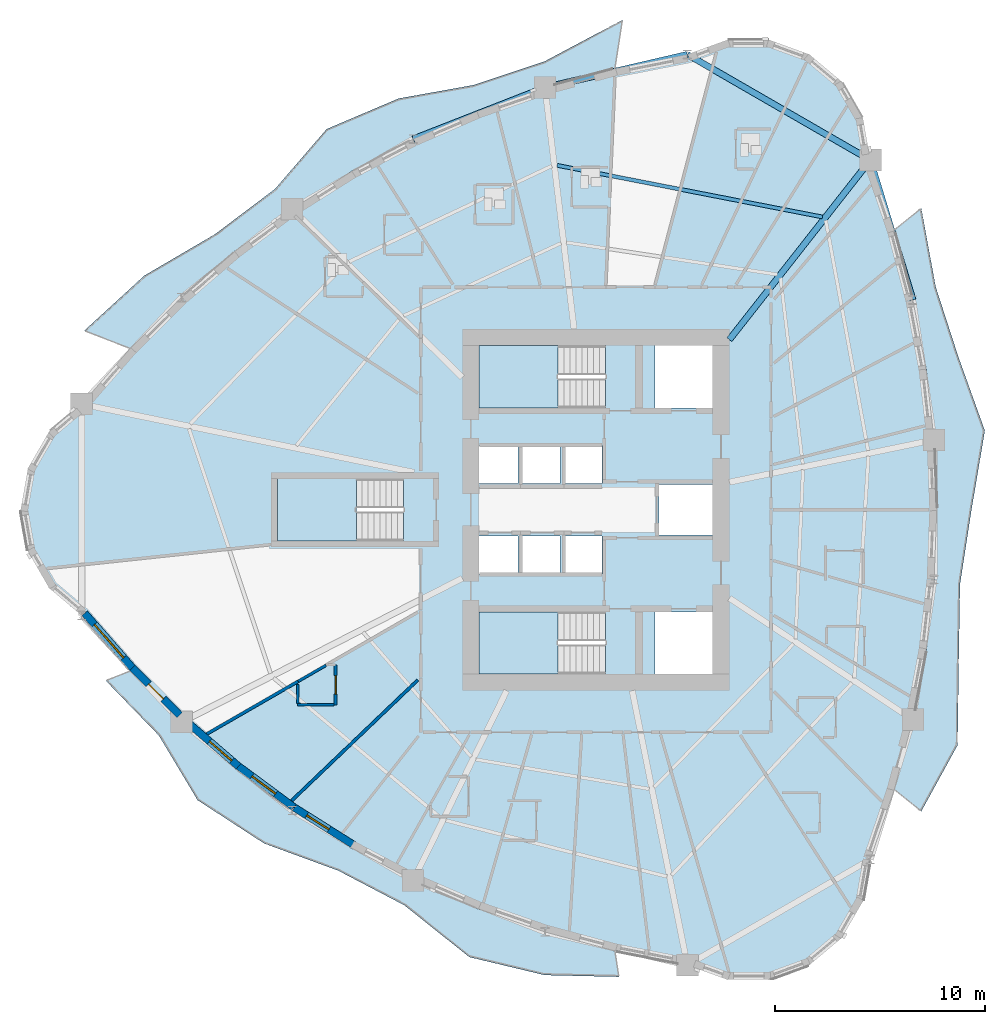
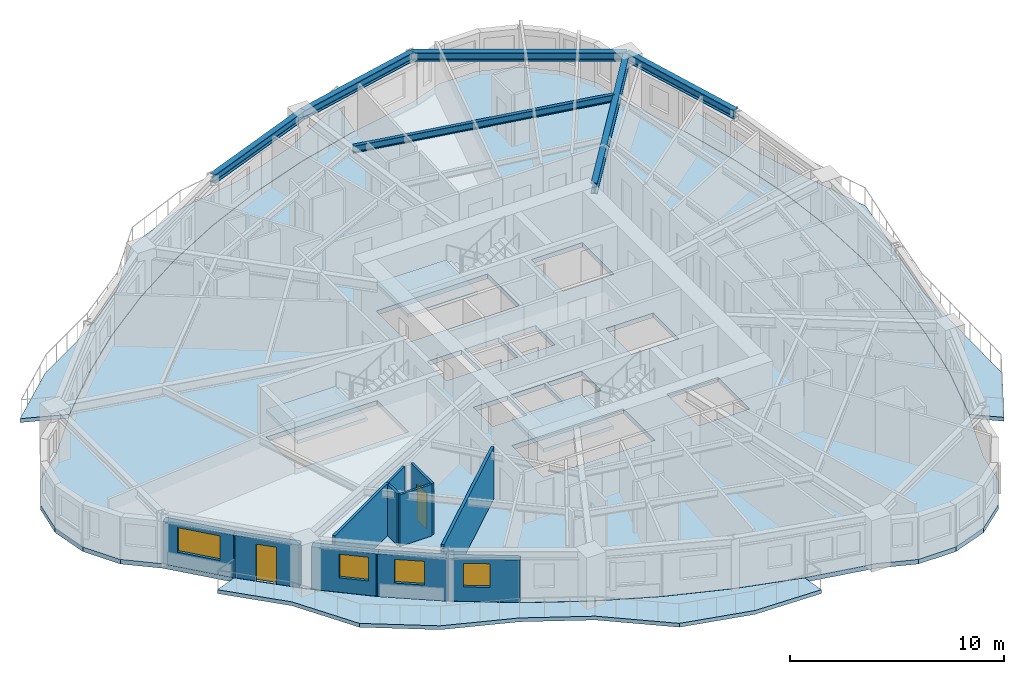
# One storey, part 2 of 14: 11 walls, 7 slabs, 6 beams, 4 windows, 2 doors, 6 openings, 3 elements without a shape of their own.
"""IFC4 building model written with IfcOpenShell, lengths in metres."""

from ifc_helpers import new_model, si_unit, direction, frame, frame_2d, origin, origin_2d, place, context, subcontext, project, spatial, polyline, rectangle, i_section, outline, extrude, source, transform, mapped, material, layer, layer_set, material_profile, profile_set, type_object, element, fill, aggregate, save


model = new_model("IFC4")

# Units and contexts
model_context = context("Model", 3, precision=1e-05, world=origin(), true_north=direction((0.0, 1.0)))
body_context = subcontext(model_context, "Body", "Model", "MODEL_VIEW")
ifc_project = project(units=[si_unit("LENGTHUNIT", "METRE"), si_unit("AREAUNIT", "SQUARE_METRE"), si_unit("VOLUMEUNIT", "CUBIC_METRE"), si_unit("PLANEANGLEUNIT", "RADIAN"), si_unit("MASSUNIT", "GRAM", prefix="KILO")], contexts=[model_context])

# Site, building, storey
site_placement = place(None, origin())
site = spatial("IfcSite", under=ifc_project, at=site_placement, CompositionType="ELEMENT")
building_placement = place(site_placement, origin())
building = spatial("IfcBuilding", under=site, at=building_placement, Name="Qafzar Sky-Pleat Residences", CompositionType="ELEMENT")
storey_placement = place(building_placement, frame((0.0, 0.0, 14.199951171875)))
storey = spatial("IfcBuildingStorey", under=building, at=storey_placement, Name="L03", CompositionType="ELEMENT", Elevation=14.199951171875)

# Beams
ifc_material_1 = material(Name="Steel S355", Category="steel")
ifc_material_profile_1 = material_profile(ifc_material_1, i_section(OverallWidth=0.300048828125, OverallDepth=0.5, WebThickness=0.014404296875, FlangeThickness=0.028076171875, FilletRadius=0.027099609375, at=origin_2d()), Name="HEB 500")
ifc_profile_set_1 = profile_set([ifc_material_profile_1], Name="Steel S355")
beam_type_1 = type_object("IfcBeamType", Name="BM-SPAN-HEB500", PredefinedType="SPANDREL", material=ifc_profile_set_1)
shared_shape_1 = source(origin(), body_context, "Body", "SweptSolid", [
    extrude(i_section(OverallWidth=0.300048828125, OverallDepth=0.5, WebThickness=0.014404296875, FlangeThickness=0.028076171875, FilletRadius=0.027099609375, at=origin_2d()), origin(), (0.0, 0.0, 1.0), 10.0458984375),
])
beam_1_placement = place(storey_placement, frame((43.39990234375, 42.627685546875, 2.68798828125), z_axis=(-0.866024107753, 0.500002244785, 0.0), x_axis=(-0.500002244785, -0.866024107753, 0.0)))
element("IfcBeam", 1, at=beam_1_placement, inside=storey, type_object=beam_type_1, Name="L03 Perimeter Spandrel Beam 13", PredefinedType="SPANDREL", context=body_context, shape_type="MappedRepresentation", body=[
    mapped(shared_shape_1, transform((0.0, 0.0, 0.0), x_axis=(1.0, 0.0, 0.0), y_axis=(0.0, 1.0, 0.0), z_axis=(0.0, 0.0, 1.0), scale=1.0)),
])
shared_shape_2 = source(origin(), body_context, "Body", "SweptSolid", [
    extrude(i_section(OverallWidth=0.300048828125, OverallDepth=0.5, WebThickness=0.014404296875, FlangeThickness=0.028076171875, FilletRadius=0.027099609375, at=origin_2d()), origin(), (0.0, 0.0, 1.0), 6.95166015625),
])
for number, where, z_axis, x_axis, name in (
    (2, (45.421875, 35.9765625, 2.68798828125), (-0.290861139852, 0.956765278072, 0.0), (-0.956765278072, -0.290861139852, 0.0), "L03 Perimeter Spandrel Beam 12"),
    (3, (34.699951171875, 47.650634765625, 2.68798828125), (-0.974013973113, -0.226487925024, 0.0), (0.226487925024, -0.974013973113, 0.0), "L03 Perimeter Spandrel Beam 14"),
):
    element("IfcBeam", number, at=place(storey_placement, frame(where, z_axis=z_axis, x_axis=x_axis)), inside=storey, type_object=beam_type_1, Name=name, PredefinedType="SPANDREL", context=body_context, shape_type="MappedRepresentation", body=[
        mapped(shared_shape_2, transform((0.0, 0.0, 0.0), x_axis=(1.0, 0.0, 0.0), y_axis=(0.0, 1.0, 0.0), z_axis=(0.0, 0.0, 1.0), scale=1.0)),
    ])
shared_shape_3 = source(origin(), body_context, "Body", "SweptSolid", [
    extrude(i_section(OverallWidth=0.300048828125, OverallDepth=0.5, WebThickness=0.014404296875, FlangeThickness=0.028076171875, FilletRadius=0.027099609375, at=origin_2d()), origin(), (0.0, 0.0, 1.0), 6.727294921875),
])
beam_2_placement = place(storey_placement, frame((27.928955078125, 46.076171875, 2.68798828125), z_axis=(-0.931329494162, -0.364177667222, 0.0), x_axis=(0.364177667222, -0.931329494162, 0.0)))
element("IfcBeam", 4, at=beam_2_placement, inside=storey, type_object=beam_type_1, Name="L03 Perimeter Spandrel Beam 15", PredefinedType="SPANDREL", context=body_context, shape_type="MappedRepresentation", body=[
    mapped(shared_shape_3, transform((0.0, 0.0, 0.0), x_axis=(1.0, 0.0, 0.0), y_axis=(0.0, 1.0, 0.0), z_axis=(0.0, 0.0, 1.0), scale=1.0)),
])
ifc_material_profile_2 = material_profile(ifc_material_1, i_section(OverallWidth=0.300048828125, OverallDepth=0.60009765625, WebThickness=0.015380859375, FlangeThickness=0.030029296875, FilletRadius=0.027099609375, at=origin_2d()), Name="HEB 600")
ifc_profile_set_2 = profile_set([ifc_material_profile_2], Name="Steel S355")
beam_type_2 = type_object("IfcBeamType", Name="BM-GIRD-HEB600", PredefinedType="BEAM", material=ifc_profile_set_2)
shared_shape_4 = source(origin(), body_context, "Body", "SweptSolid", [
    extrude(i_section(OverallWidth=0.300048828125, OverallDepth=0.60009765625, WebThickness=0.015380859375, FlangeThickness=0.030029296875, FilletRadius=0.027099609375, at=origin_2d()), origin(), (0.0, 0.0, 1.0), 10.85205078125),
])
beam_3_placement = place(storey_placement, frame((43.39990234375, 42.627685546875, 2.637939453125), z_axis=(-0.617389257857, -0.786657806344, 0.0), x_axis=(0.786657806344, -0.617389257857, 0.0)))
element("IfcBeam", 5, at=beam_3_placement, inside=storey, type_object=beam_type_2, Name="L03 Radial Floor Girder 13", PredefinedType="BEAM", context=body_context, shape_type="MappedRepresentation", body=[
    mapped(shared_shape_4, transform((0.0, 0.0, 0.0), x_axis=(1.0, 0.0, 0.0), y_axis=(0.0, 1.0, 0.0), z_axis=(0.0, 0.0, 1.0), scale=1.0)),
])
ifc_material_profile_3 = material_profile(ifc_material_1, i_section(OverallWidth=0.179931640625, OverallDepth=0.39990234375, WebThickness=0.008544921875, FlangeThickness=0.013427734375, FilletRadius=0.02099609375, at=origin_2d()), Name="IPE 400")
ifc_profile_set_3 = profile_set([ifc_material_profile_3], Name="Steel S355")
beam_type_3 = type_object("IfcBeamType", Name="BM-JST-IPE400", PredefinedType="JOIST", material=ifc_profile_set_3)
shared_shape_5 = source(origin(), body_context, "Body", "SweptSolid", [
    extrude(i_section(OverallWidth=0.179931640625, OverallDepth=0.39990234375, WebThickness=0.008544921875, FlangeThickness=0.013427734375, FilletRadius=0.02099609375, at=origin_2d()), origin(), (0.0, 0.0, 1.0), 12.85595703125),
])
beam_4_placement = place(storey_placement, frame((41.12353515625, 39.921630859375, 2.738037109375), z_axis=(-0.981577813366, 0.191062807233, 0.0), x_axis=(-0.191062807233, -0.981577813366, 0.0)))
element("IfcBeam", 6, at=beam_4_placement, inside=storey, type_object=beam_type_3, Name="L03 Outer Secondary Floor Joist 7", PredefinedType="JOIST", context=body_context, shape_type="MappedRepresentation", body=[
    mapped(shared_shape_5, transform((0.0, 0.0, 0.0), x_axis=(1.0, 0.0, 0.0), y_axis=(0.0, 1.0, 0.0), z_axis=(0.0, 0.0, 1.0), scale=1.0)),
])

# Slabs
ifc_material_2 = material(Name="Concrete C40/50", Category="concrete")
ifc_layer_1 = layer(ifc_material_2, 0.219970703125)
ifc_layer_set_1 = layer_set([ifc_layer_1], Name="Concrete C40/50")
slab_type_1 = type_object("IfcSlabType", Name="SLAB-BAL-220", PredefinedType="USERDEFINED", material=ifc_layer_set_1)
slab_1_placement = place(storey_placement, frame((0.0, 0.0, -0.219970703125)))
element("IfcSlab", 7, at=slab_1_placement, inside=storey, type_object=slab_type_1, Name="L03 Pleated Stone Balcony 1", ObjectType="BALCONY", PredefinedType="USERDEFINED", context=body_context, shape_type="SweptSolid", body=[
    extrude(outline(polyline([(45.432373046875, 16.017333984375), (46.065185546875, 19.3447265625), (46.444580078125, 22.67236328125), (46.5712890625, 26.0), (46.444580078125, 29.32763671875), (46.065185546875, 32.6552734375), (45.432373046875, 35.982666015625), (44.546630859375, 39.309814453125), (45.822998046875, 40.33642578125), (46.506591796875, 36.597900390625), (47.60205078125, 33.221435546875), (48.843994140625, 29.760498046875), (48.209228515625, 26.0), (47.6630859375, 22.45263671875), (47.60205078125, 18.778564453125), (47.548095703125, 14.805908203125), (45.822998046875, 11.66357421875), (44.546630859375, 12.690185546875), (45.432373046875, 16.017333984375)])), origin(), (0.0, 0.0, 1.0), 0.219970703125),
])
slab_2_placement = place(storey_placement, frame((0.0, 0.0, -0.219970703125)))
element("IfcSlab", 8, at=slab_2_placement, inside=storey, type_object=slab_type_1, Name="L03 Pleated Stone Balcony 2", ObjectType="BALCONY", PredefinedType="USERDEFINED", context=body_context, shape_type="SweptSolid", body=[
    extrude(outline(polyline([(27.928955078125, 46.088134765625), (24.731201171875, 44.972412109375), (21.659423828125, 43.637451171875), (18.71435546875, 42.083251953125), (15.89599609375, 40.309814453125), (13.203857421875, 38.317138671875), (10.638671875, 36.10546875), (8.2001953125, 33.675048828125), (6.02685546875, 34.517578125), (8.877197265625, 37.130859375), (12.25244140625, 39.109130859375), (15.09619140625, 41.2548828125), (17.549072265625, 44.101806640625), (20.97021484375, 45.55517578125), (24.52099609375, 46.1923828125), (27.924560546875, 47.326171875), (31.610107421875, 49.2880859375), (31.253173828125, 46.984619140625), (27.928955078125, 46.088134765625)])), origin(), (0.0, 0.0, 1.0), 0.219970703125),
])
slab_3_placement = place(storey_placement, frame((0.0, 0.0, -0.219970703125)))
element("IfcSlab", 9, at=slab_3_placement, inside=storey, type_object=slab_type_1, Name="L03 Pleated Stone Balcony 3", ObjectType="BALCONY", PredefinedType="USERDEFINED", context=body_context, shape_type="SweptSolid", body=[
    extrude(outline(polyline([(10.638671875, 15.89453125), (13.203857421875, 13.682861328125), (15.89599609375, 11.690185546875), (18.71435546875, 9.916748046875), (21.659423828125, 8.362548828125), (24.731201171875, 7.027587890625), (27.928955078125, 5.911865234375), (31.253173828125, 5.015380859375), (31.44287109375, 3.7919921875), (27.921875, 3.873779296875), (24.335205078125, 4.730712890625), (21.24072265625, 7.197509765625), (18.095458984375, 8.8447265625), (14.57958984375, 10.13427734375), (11.41259765625, 12.191650390625), (9.568603515625, 15.271728515625), (7.0458984375, 17.87744140625), (8.2001953125, 18.324951171875), (10.638671875, 15.89453125)])), origin(), (0.0, 0.0, 1.0), 0.219970703125),
])
ifc_layer_2 = layer(ifc_material_2, 0.260009765625)
ifc_layer_set_2 = layer_set([ifc_layer_2], Name="Concrete C40/50")
slab_type_2 = type_object("IfcSlabType", Name="SLAB-FLR-260", PredefinedType="FLOOR", material=ifc_layer_set_2)
slab_4_placement = place(storey_placement, frame((0.0, 0.0, -0.260009765625)))
element("IfcSlab", 10, at=slab_4_placement, inside=storey, type_object=slab_type_2, Name="L03 Structural Floor Slab", PredefinedType="FLOOR", context=body_context, shape_type="SweptSolid", body=[
    extrude(outline(polyline([(5.89990234375, 31.02294921875), (4.35693359375, 29.728271484375), (3.349853515625, 27.983642578125), (3.0, 26.0), (3.349853515625, 24.016357421875), (4.35693359375, 22.271728515625), (5.89990234375, 20.97705078125), (8.211181640625, 18.329345703125), (10.64892578125, 15.900390625), (13.213134765625, 13.6904296875), (15.903564453125, 11.699462890625), (18.720458984375, 9.92724609375), (21.66357421875, 8.373779296875), (24.733154296875, 7.039306640625), (27.928955078125, 5.923828125), (31.251220703125, 5.027099609375), (34.699951171875, 4.349365234375), (36.5927734375, 3.660400390625), (38.607177734375, 3.660400390625), (40.5, 4.349365234375), (42.043212890625, 5.64404296875), (43.05029296875, 7.388671875), (43.39990234375, 9.372314453125), (44.537353515625, 12.69775390625), (45.421875, 16.0234375), (46.0537109375, 19.348876953125), (46.432861328125, 22.674560546875), (46.559326171875, 26.0), (46.432861328125, 29.325439453125), (46.0537109375, 32.651123046875), (45.421875, 35.9765625), (44.537353515625, 39.30224609375), (43.39990234375, 42.627685546875), (43.05029296875, 44.611328125), (42.043212890625, 46.35595703125), (40.5, 47.650634765625), (38.607177734375, 48.339599609375), (36.5927734375, 48.339599609375), (34.699951171875, 47.650634765625), (31.251220703125, 46.972900390625), (27.928955078125, 46.076171875), (24.733154296875, 44.960693359375), (21.66357421875, 43.626220703125), (18.720458984375, 42.07275390625), (15.903564453125, 40.300537109375), (13.213134765625, 38.3095703125), (10.64892578125, 36.099609375), (8.211181640625, 33.670654296875), (5.89990234375, 31.02294921875)]), holes=[polyline([(30.797119140625, 21.14990234375), (24.800048828125, 21.14990234375), (24.800048828125, 18.199951171875), (30.797119140625, 18.199951171875), (30.797119140625, 21.14990234375)]), polyline([(30.797119140625, 33.800048828125), (24.800048828125, 33.800048828125), (24.800048828125, 30.85009765625), (30.797119140625, 30.85009765625), (30.797119140625, 33.800048828125)]), polyline([(21.197021484375, 27.47509765625), (15.199951171875, 27.47509765625), (15.199951171875, 24.52490234375), (21.197021484375, 24.52490234375), (21.197021484375, 27.47509765625)]), polyline([(24.800048828125, 22.949951171875), (26.64990234375, 22.949951171875), (26.64990234375, 24.75), (24.800048828125, 24.75), (24.800048828125, 22.949951171875)]), polyline([(26.800048828125, 22.949951171875), (28.64990234375, 22.949951171875), (28.64990234375, 24.75), (26.800048828125, 24.75), (26.800048828125, 22.949951171875)]), polyline([(28.800048828125, 22.949951171875), (30.64990234375, 22.949951171875), (30.64990234375, 24.75), (28.800048828125, 24.75), (28.800048828125, 22.949951171875)]), polyline([(24.800048828125, 27.25), (26.64990234375, 27.25), (26.64990234375, 29.050048828125), (24.800048828125, 29.050048828125), (24.800048828125, 27.25)]), polyline([(26.800048828125, 27.25), (28.64990234375, 27.25), (28.64990234375, 29.050048828125), (26.800048828125, 29.050048828125), (26.800048828125, 27.25)]), polyline([(28.800048828125, 27.25), (30.64990234375, 27.25), (30.64990234375, 29.050048828125), (28.800048828125, 29.050048828125), (28.800048828125, 27.25)]), polyline([(33.14990234375, 18.199951171875), (35.89990234375, 18.199951171875), (35.89990234375, 21.14990234375), (33.14990234375, 21.14990234375), (33.14990234375, 18.199951171875)]), polyline([(33.14990234375, 30.85009765625), (35.89990234375, 30.85009765625), (35.89990234375, 33.800048828125), (33.14990234375, 33.800048828125), (33.14990234375, 30.85009765625)]), polyline([(33.35009765625, 24.800048828125), (35.89990234375, 24.800048828125), (35.89990234375, 27.199951171875), (33.35009765625, 27.199951171875), (33.35009765625, 24.800048828125)])]), origin(), (0.0, 0.0, 1.0), 0.260009765625),
])

# Stair, slab
stair_type = type_object("IfcStairType", Name="STAIR-H320", PredefinedType="HALF_TURN_STAIR", material=ifc_material_2)
stair_1_placement = place(storey_placement, origin())
stair_1 = element("IfcStair", 11, at=stair_1_placement, inside=storey, type_object=stair_type, Name="L03 Protected Exit Stair ST1", PredefinedType="HALF_TURN_STAIR")
ifc_layer_3 = layer(ifc_material_2, 0.199951171875)
ifc_layer_set_3 = layer_set([ifc_layer_3], Name="Concrete C40/50")
slab_type_3 = type_object("IfcSlabType", Name="SLAB-LANDING-200", PredefinedType="LANDING", material=ifc_layer_set_3)
slab_5_placement = place(storey_placement, frame((0.0, 0.0, 1.400146484375)))
slab_5 = element("IfcSlab", 12, at=slab_5_placement, type_object=slab_type_3, Name="ST1 landing 1", PredefinedType="LANDING", context=body_context, shape_type="SweptSolid", body=[
    extrude(outline(polyline([(28.56005859375, 21.14990234375), (24.800048828125, 21.14990234375), (24.800048828125, 18.199951171875), (28.56005859375, 18.199951171875), (28.56005859375, 21.14990234375)])), origin(), (0.0, 0.0, 1.0), 0.199951171875),
])
aggregate(stair_1, [slab_5])

stair_2_placement = place(storey_placement, origin())
stair_2 = element("IfcStair", 13, at=stair_2_placement, inside=storey, type_object=stair_type, Name="L03 Protected Exit Stair ST2", PredefinedType="HALF_TURN_STAIR")
slab_6_placement = place(storey_placement, frame((0.0, 0.0, 1.400146484375)))
slab_6 = element("IfcSlab", 14, at=slab_6_placement, type_object=slab_type_3, Name="ST2 landing 1", PredefinedType="LANDING", context=body_context, shape_type="SweptSolid", body=[
    extrude(outline(polyline([(28.56005859375, 33.800048828125), (24.800048828125, 33.800048828125), (24.800048828125, 30.85009765625), (28.56005859375, 30.85009765625), (28.56005859375, 33.800048828125)])), origin(), (0.0, 0.0, 1.0), 0.199951171875),
])
aggregate(stair_2, [slab_6])

stair_3_placement = place(storey_placement, origin())
stair_3 = element("IfcStair", 15, at=stair_3_placement, inside=storey, type_object=stair_type, Name="L03 Protected Exit Stair ST3", PredefinedType="HALF_TURN_STAIR")
slab_7_placement = place(storey_placement, frame((0.0, 0.0, 1.400146484375)))
slab_7 = element("IfcSlab", 16, at=slab_7_placement, type_object=slab_type_3, Name="ST3 landing 1", PredefinedType="LANDING", context=body_context, shape_type="SweptSolid", body=[
    extrude(outline(polyline([(18.9599609375, 27.47509765625), (15.199951171875, 27.47509765625), (15.199951171875, 24.52490234375), (18.9599609375, 24.52490234375), (18.9599609375, 27.47509765625)])), origin(), (0.0, 0.0, 1.0), 0.199951171875),
])
aggregate(stair_3, [slab_7])

# Walls
ifc_material_3 = material(Name="Acoustic gypsum plasterboard partition", Category="gypsum")
ifc_layer_4 = layer(ifc_material_3, 0.14501953125)
ifc_layer_set_4 = layer_set([ifc_layer_4], Name="Acoustic gypsum plasterboard partition")
wall_type_1 = type_object("IfcWallType", Name="PART-UNIT-145", PredefinedType="PARTITIONING", material=ifc_layer_set_4)
wall_1_placement = place(storey_placement, frame((15.88818359375, 12.17138671875, 0.0), z_axis=(0.0, 0.0, 1.0), x_axis=(0.722733244608, 0.691127091886, 0.0)))
element("IfcWall", 17, at=wall_1_placement, inside=storey, type_object=wall_type_1, Name="L03 Partition Wall PART-L03-PW-047", PredefinedType="PARTITIONING", context=body_context, shape_type="SweptSolid", body=[
    extrude(rectangle(XDim=8.296142578125, YDim=0.14501953125, at=frame_2d((4.14794921875, 0.0))), origin(), (0.0, 0.0, 1.0), 2.93994140625),
])
wall_2_placement = place(storey_placement, frame((11.85107421875, 15.341552734375, 0.0), z_axis=(0.0, 0.0, 1.0), x_axis=(0.86649075999, 0.499193111784, 0.0)))
element("IfcWall", 18, at=wall_2_placement, inside=storey, type_object=wall_type_1, Name="L03 Partition Wall PART-L03-PW-057", PredefinedType="PARTITIONING", context=body_context, shape_type="SweptSolid", body=[
    extrude(rectangle(XDim=5.005126953125, YDim=0.14501953125, at=frame_2d((2.50244140625, 0.0))), origin(), (0.0, 0.0, 1.0), 2.93994140625),
])

# Wall, opening, door
ifc_material_4 = material(Name="Moisture-resistant gypsum partition", Category="gypsum")
ifc_layer_5 = layer(ifc_material_4, 0.1298828125)
ifc_layer_set_5 = layer_set([ifc_layer_5], Name="Moisture-resistant gypsum partition")
wall_type_2 = type_object("IfcWallType", Name="PART-WET-130", PredefinedType="PARTITIONING", material=ifc_layer_set_5)
wall_3_placement = place(storey_placement, frame((17.972900390625, 16.72509765625, 0.0), z_axis=(0.0, 0.0, 1.0), x_axis=(0.0, 1.0, 0.0)))
wall_3 = element("IfcWall", 19, at=wall_3_placement, inside=storey, type_object=wall_type_2, Name="L03 Partition Wall PART-L03-PW-032", PredefinedType="PARTITIONING", context=body_context, shape_type="SweptSolid", body=[
    extrude(rectangle(XDim=1.89990234375, YDim=0.1298828125, at=frame_2d((0.949951171875, 0.0))), origin(), (0.0, 0.0, 1.0), 2.93994140625),
])
opening_1_placement = place(wall_3_placement, frame((0.510009765625, 0.0, 0.0)))
opening_1 = element("IfcOpeningElement", 20, at=opening_1_placement, cuts=wall_3, Name="Opening ID-07", PredefinedType="OPENING", context=body_context, shape_type="SweptSolid", body=[
    extrude(rectangle(XDim=0.8798828125, YDim=2.050048828125, at=frame_2d((0.43994140625, 1.02490234375))), frame((0.0, 0.074951171875, 0.0), z_axis=(0.0, -1.0, 0.0), x_axis=(1.0, 0.0, 0.0)), (0.0, 0.0, 1.0), 0.14990234375),
])
ifc_material_5 = material(Name="Timber-faced fire door", Category="wood")
door_type_1 = type_object("IfcDoorType", Name="DR-WET-880", OperationType="NOTDEFINED", PredefinedType="DOOR", material=ifc_material_5)
shared_shape_6 = source(origin(), body_context, "Body", "SweptSolid", [
    extrude(rectangle(XDim=0.8798828125, YDim=2.050048828125, at=frame_2d((0.43994140625, 1.02490234375))), frame((0.0, 0.02490234375, 0.0), z_axis=(0.0, -1.0, 0.0), x_axis=(1.0, 0.0, 0.0)), (0.0, 0.0, 1.0), 0.050048828125),
])
door_1_placement = place(opening_1_placement, origin())
door_1 = element("IfcDoor", 21, at=door_1_placement, inside=storey, type_object=door_type_1, Name="L03 En-suite Bathroom 12 Door", OperationType="SINGLE_SWING_RIGHT", OverallHeight=2.050048828125, OverallWidth=0.8798828125, PredefinedType="DOOR", context=body_context, shape_type="MappedRepresentation", body=[
    mapped(shared_shape_6, transform((0.0, 0.0, 0.0), x_axis=(1.0, 0.0, 0.0), y_axis=(0.0, 1.0, 0.0), z_axis=(0.0, 0.0, 1.0), scale=1.0)),
])
fill(opening_1, door_1)

# Walls
wall_4_placement = place(storey_placement, frame((16.173095703125, 16.72509765625, 0.0), z_axis=(0.0, 0.0, 1.0), x_axis=(1.0, 0.0, 0.0)))
element("IfcWall", 22, at=wall_4_placement, inside=storey, type_object=wall_type_2, Name="L03 Partition Wall PART-L03-PW-084", PredefinedType="PARTITIONING", context=body_context, shape_type="SweptSolid", body=[
    extrude(rectangle(XDim=1.726806640625, YDim=0.1298828125, at=frame_2d((0.86328125, 0.0))), origin(), (0.0, 0.0, 1.0), 2.93994140625),
])
wall_5_placement = place(storey_placement, frame((16.200927734375, 17.84765625, 0.0), z_axis=(0.0, 0.0, 1.0), x_axis=(0.866448907576, 0.49926575144, 0.0)))
element("IfcWall", 23, at=wall_5_placement, inside=storey, type_object=wall_type_2, Name="L03 Partition Wall PART-L03-PW-098", PredefinedType="PARTITIONING", context=body_context, shape_type="SweptSolid", body=[
    extrude(rectangle(XDim=1.511962890625, YDim=0.1298828125, at=frame_2d((0.755859375, 0.0))), origin(), (0.0, 0.0, 1.0), 2.93994140625),
])
wall_6_placement = place(storey_placement, frame((16.173095703125, 16.798095703125, 0.0), z_axis=(0.0, 0.0, 1.0), x_axis=(0.0, 1.0, 0.0)))
element("IfcWall", 24, at=wall_6_placement, inside=storey, type_object=wall_type_2, Name="L03 Partition Wall PART-L03-PW-106", PredefinedType="PARTITIONING", context=body_context, shape_type="SweptSolid", body=[
    extrude(rectangle(XDim=0.90478515625, YDim=0.1298828125, at=frame_2d((0.452392578125, 0.0))), origin(), (0.0, 0.0, 1.0), 2.93994140625),
])

# Wall, opening, window
ifc_material_6 = material(Name="Precast concrete C40/50 with honed Riyadh limestone", Category="concrete")
ifc_layer_6 = layer(ifc_material_6, 0.35009765625)
ifc_layer_set_6 = layer_set([ifc_layer_6], Name="Precast concrete C40/50 with honed Riyadh limestone")
wall_type_3 = type_object("IfcWallType", Name="WALL-EXT-350", PredefinedType="SOLIDWALL", material=ifc_layer_set_6)
wall_7_placement = place(storey_placement, frame((6.044921875, 21.0771484375, 0.0), z_axis=(0.0, 0.0, 1.0), x_axis=(0.657628390725, -0.753342485004, 0.0)))
wall_7 = element("IfcWall", 25, at=wall_7_placement, inside=storey, type_object=wall_type_3, Name="L03 Limestone Facade Wall 7", PredefinedType="SOLIDWALL", context=body_context, shape_type="SweptSolid", body=[
    extrude(rectangle(XDim=3.53271484375, YDim=0.35009765625, at=frame_2d((1.766357421875, 0.0))), origin(), (0.0, 0.0, 1.0), 2.420166015625),
])
opening_2_placement = place(wall_7_placement, frame((0.706298828125, 0.0, 0.820068359375)))
opening_2 = element("IfcOpeningElement", 26, at=opening_2_placement, cuts=wall_7, Name="Opening WN-07", PredefinedType="OPENING", context=body_context, shape_type="SweptSolid", body=[
    extrude(rectangle(XDim=2.10009765625, YDim=1.39990234375, at=frame_2d((1.050048828125, 0.699951171875))), frame((0.0, 0.18505859375, 0.0), z_axis=(0.0, -1.0, 0.0), x_axis=(1.0, 0.0, 0.0)), (0.0, 0.0, 1.0), 0.3701171875),
])
ifc_material_7 = material(Name="Solar-control low-E glass in bronze aluminium frame", Category="glass")
window_type_1 = type_object("IfcWindowType", Name="WIN-07", PartitioningType="DOUBLE_PANEL_VERTICAL", PredefinedType="WINDOW", material=ifc_material_7)
shared_shape_7 = source(origin(), body_context, "Body", "SweptSolid", [
    extrude(rectangle(XDim=2.10009765625, YDim=1.39990234375, at=frame_2d((1.050048828125, 0.699951171875))), frame((0.0, 0.030029296875, 0.0), z_axis=(0.0, -1.0, 0.0), x_axis=(1.0, 0.0, 0.0)), (0.0, 0.0, 1.0), 0.06005859375),
])
window_1_placement = place(opening_2_placement, origin())
window_1 = element("IfcWindow", 27, at=window_1_placement, inside=storey, type_object=window_type_1, Name="L03 Punched Facade Window 07", OverallHeight=1.39990234375, OverallWidth=2.10009765625, PartitioningType="SINGLE_PANEL", PredefinedType="WINDOW", context=body_context, shape_type="MappedRepresentation", body=[
    mapped(shared_shape_7, transform((0.0, 0.0, 0.0), x_axis=(1.0, 0.0, 0.0), y_axis=(0.0, 1.0, 0.0), z_axis=(0.0, 0.0, 1.0), scale=1.0)),
])
fill(opening_2, window_1)

# Wall, opening, door
wall_8_placement = place(storey_placement, frame((8.307861328125, 18.47998046875, 0.0), z_axis=(0.0, 0.0, 1.0), x_axis=(0.708411049028, -0.705800103156, 0.0)))
wall_8 = element("IfcWall", 28, at=wall_8_placement, inside=storey, type_object=wall_type_3, Name="L03 Limestone Facade Wall 8", PredefinedType="SOLIDWALL", context=body_context, shape_type="SweptSolid", body=[
    extrude(rectangle(XDim=3.17919921875, YDim=0.35009765625, at=frame_2d((1.589599609375, 0.0))), origin(), (0.0, 0.0, 1.0), 2.420166015625),
])
opening_3_placement = place(wall_8_placement, frame((1.089599609375, 0.0, 0.0)))
opening_3 = element("IfcOpeningElement", 29, at=opening_3_placement, cuts=wall_8, Name="Opening ED-05", PredefinedType="OPENING", context=body_context, shape_type="SweptSolid", body=[
    extrude(rectangle(XDim=1.0, YDim=2.10009765625, at=frame_2d((0.5, 1.050048828125))), frame((0.0, 0.18505859375, 0.0), z_axis=(0.0, -1.0, 0.0), x_axis=(1.0, 0.0, 0.0)), (0.0, 0.0, 1.0), 0.3701171875),
])
ifc_material_8 = material(Name="Glazed bronze aluminium door", Category="aluminium")
door_type_2 = type_object("IfcDoorType", Name="DR-BAL-1000", OperationType="NOTDEFINED", PredefinedType="DOOR", material=ifc_material_8)
shared_shape_8 = source(origin(), body_context, "Body", "SweptSolid", [
    extrude(rectangle(XDim=1.0, YDim=2.10009765625, at=frame_2d((0.5, 1.050048828125))), frame((0.0, 0.02490234375, 0.0), z_axis=(0.0, -1.0, 0.0), x_axis=(1.0, 0.0, 0.0)), (0.0, 0.0, 1.0), 0.050048828125),
])
door_2_placement = place(opening_3_placement, origin())
door_2 = element("IfcDoor", 30, at=door_2_placement, inside=storey, type_object=door_type_2, Name="L03 Glazed Balcony Door 3", OperationType="SINGLE_SWING_LEFT", OverallHeight=2.10009765625, OverallWidth=1.0, PredefinedType="DOOR", context=body_context, shape_type="MappedRepresentation", body=[
    mapped(shared_shape_8, transform((0.0, 0.0, 0.0), x_axis=(1.0, 0.0, 0.0), y_axis=(0.0, 1.0, 0.0), z_axis=(0.0, 0.0, 1.0), scale=1.0)),
])
fill(opening_3, door_2)

# Wall, opening, window
wall_9_placement = place(storey_placement, frame((10.990478515625, 15.837158203125, 0.0), z_axis=(0.0, 0.0, 1.0), x_axis=(0.757465946779, -0.652874673632, 0.0)))
wall_9 = element("IfcWall", 31, at=wall_9_placement, inside=storey, type_object=wall_type_3, Name="L03 Limestone Facade Wall 9", PredefinedType="SOLIDWALL", context=body_context, shape_type="SweptSolid", body=[
    extrude(rectangle(XDim=3.123291015625, YDim=0.35009765625, at=frame_2d((1.5615234375, 0.0))), origin(), (0.0, 0.0, 1.0), 2.420166015625),
])
opening_4_placement = place(wall_9_placement, frame((1.305419921875, 0.0, 0.820068359375)))
opening_4 = element("IfcOpeningElement", 32, at=opening_4_placement, cuts=wall_9, Name="Opening WN-10", PredefinedType="OPENING", context=body_context, shape_type="SweptSolid", body=[
    extrude(rectangle(XDim=1.39990234375, YDim=1.35009765625, at=frame_2d((0.699951171875, 0.675048828125))), frame((0.0, 0.18505859375, 0.0), z_axis=(0.0, -1.0, 0.0), x_axis=(1.0, 0.0, 0.0)), (0.0, 0.0, 1.0), 0.3701171875),
])
window_type_2 = type_object("IfcWindowType", Name="WIN-10", PartitioningType="SINGLE_PANEL", PredefinedType="WINDOW", material=ifc_material_7)
shared_shape_9 = source(origin(), body_context, "Body", "SweptSolid", [
    extrude(rectangle(XDim=1.39990234375, YDim=1.35009765625, at=frame_2d((0.699951171875, 0.675048828125))), frame((0.0, 0.030029296875, 0.0), z_axis=(0.0, -1.0, 0.0), x_axis=(1.0, 0.0, 0.0)), (0.0, 0.0, 1.0), 0.06005859375),
])
window_2_placement = place(opening_4_placement, origin())
window_2 = element("IfcWindow", 33, at=window_2_placement, inside=storey, type_object=window_type_2, Name="L03 Punched Facade Window 09-2", OverallHeight=1.35009765625, OverallWidth=1.39990234375, PartitioningType="SINGLE_PANEL", PredefinedType="WINDOW", context=body_context, shape_type="MappedRepresentation", body=[
    mapped(shared_shape_9, transform((0.0, 0.0, 0.0), x_axis=(1.0, 0.0, 0.0), y_axis=(0.0, 1.0, 0.0), z_axis=(0.0, 0.0, 1.0), scale=1.0)),
])
fill(opening_4, window_2)

wall_10_placement = place(storey_placement, frame((13.28662109375, 13.853759765625, 0.0), z_axis=(0.0, 0.0, 1.0), x_axis=(0.803848837202, -0.594833629622, 0.0)))
wall_10 = element("IfcWall", 34, at=wall_10_placement, inside=storey, type_object=wall_type_3, Name="L03 Limestone Facade Wall 10", PredefinedType="SOLIDWALL", context=body_context, shape_type="SweptSolid", body=[
    extrude(rectangle(XDim=3.365234375, YDim=0.35009765625, at=frame_2d((1.6826171875, 0.0))), origin(), (0.0, 0.0, 1.0), 2.420166015625),
])
opening_5_placement = place(wall_10_placement, frame((0.88330078125, 0.0, 0.820068359375)))
opening_5 = element("IfcOpeningElement", 35, at=opening_5_placement, cuts=wall_10, Name="Opening WN-10", PredefinedType="OPENING", context=body_context, shape_type="SweptSolid", body=[
    extrude(rectangle(XDim=1.39990234375, YDim=1.35009765625, at=frame_2d((0.699951171875, 0.675048828125))), frame((0.0, 0.18505859375, 0.0), z_axis=(0.0, -1.0, 0.0), x_axis=(1.0, 0.0, 0.0)), (0.0, 0.0, 1.0), 0.3701171875),
])
window_3_placement = place(opening_5_placement, origin())
window_3 = element("IfcWindow", 36, at=window_3_placement, inside=storey, type_object=window_type_2, Name="L03 Punched Facade Window 10", OverallHeight=1.35009765625, OverallWidth=1.39990234375, PartitioningType="SINGLE_PANEL", PredefinedType="WINDOW", context=body_context, shape_type="MappedRepresentation", body=[
    mapped(shared_shape_9, transform((0.0, 0.0, 0.0), x_axis=(1.0, 0.0, 0.0), y_axis=(0.0, 1.0, 0.0), z_axis=(0.0, 0.0, 1.0), scale=1.0)),
])
fill(opening_5, window_3)

wall_11_placement = place(storey_placement, frame((16.013671875, 11.8369140625, 0.0), z_axis=(0.0, 0.0, 1.0), x_axis=(0.846420438233, -0.532515203295, 0.0)))
wall_11 = element("IfcWall", 37, at=wall_11_placement, inside=storey, type_object=wall_type_3, Name="L03 Limestone Facade Wall 11", PredefinedType="SOLIDWALL", context=body_context, shape_type="SweptSolid", body=[
    extrude(rectangle(XDim=3.345947265625, YDim=0.35009765625, at=frame_2d((1.6728515625, 0.0))), origin(), (0.0, 0.0, 1.0), 2.420166015625),
])
opening_6_placement = place(wall_11_placement, frame((0.6923828125, 0.0, 0.820068359375)))
opening_6 = element("IfcOpeningElement", 38, at=opening_6_placement, cuts=wall_11, Name="Opening WN-11", PredefinedType="OPENING", context=body_context, shape_type="SweptSolid", body=[
    extrude(rectangle(XDim=1.25, YDim=1.35009765625, at=frame_2d((0.625, 0.675048828125))), frame((0.0, 0.18505859375, 0.0), z_axis=(0.0, -1.0, 0.0), x_axis=(1.0, 0.0, 0.0)), (0.0, 0.0, 1.0), 0.3701171875),
])
window_type_3 = type_object("IfcWindowType", Name="WIN-11", PartitioningType="SINGLE_PANEL", PredefinedType="WINDOW", material=ifc_material_7)
shared_shape_10 = source(origin(), body_context, "Body", "SweptSolid", [
    extrude(rectangle(XDim=1.25, YDim=1.35009765625, at=frame_2d((0.625, 0.675048828125))), frame((0.0, 0.030029296875, 0.0), z_axis=(0.0, -1.0, 0.0), x_axis=(1.0, 0.0, 0.0)), (0.0, 0.0, 1.0), 0.06005859375),
])
window_4_placement = place(opening_6_placement, origin())
window_4 = element("IfcWindow", 39, at=window_4_placement, inside=storey, type_object=window_type_3, Name="L03 Punched Facade Window 11", OverallHeight=1.35009765625, OverallWidth=1.25, PartitioningType="SINGLE_PANEL", PredefinedType="WINDOW", context=body_context, shape_type="MappedRepresentation", body=[
    mapped(shared_shape_10, transform((0.0, 0.0, 0.0), x_axis=(1.0, 0.0, 0.0), y_axis=(0.0, 1.0, 0.0), z_axis=(0.0, 0.0, 1.0), scale=1.0)),
])
fill(opening_6, window_4)

save(model, "model.ifc")
